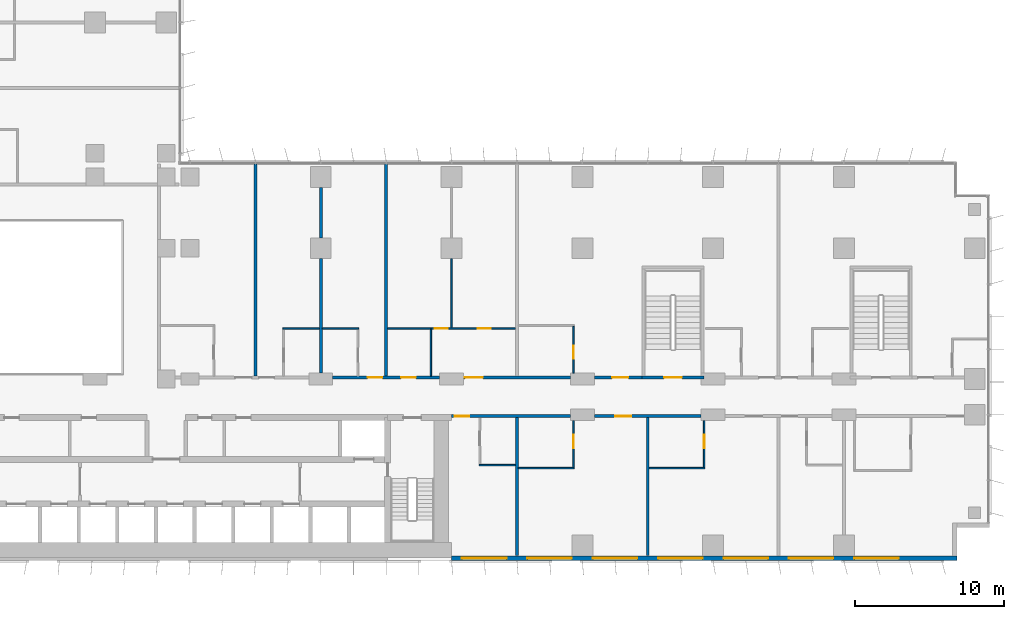
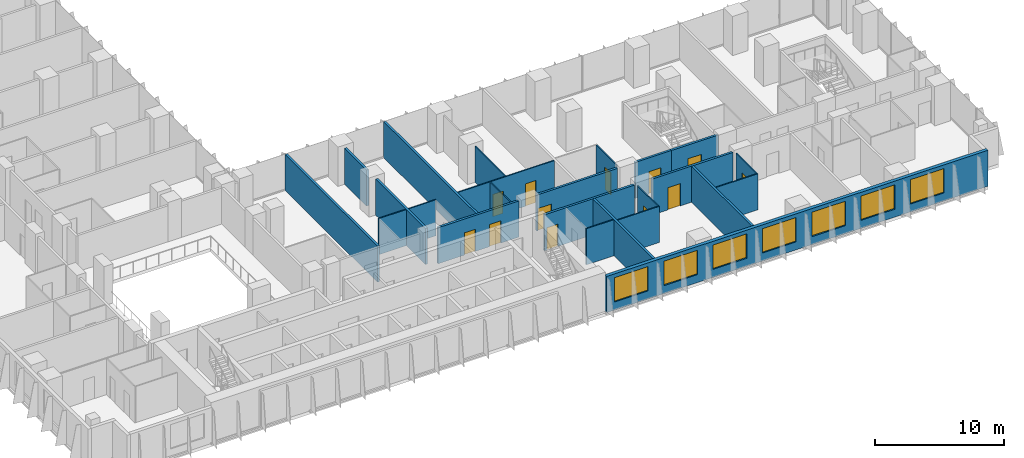
# One storey, part 14 of 24: 24 walls, 12 doors, 7 windows, 19 openings.
"""IFC4 building model written with IfcOpenShell, lengths in metres."""

import ifcopenshell
import ifcopenshell.guid

model = None  # the IFC model being written
_history = None  # IfcOwnerHistory: only IFC2X3 demands one
_inside = {}  # id of a spatial element -> (the spatial element, [elements in it])
_under = {}  # id of a project, library or spatial element -> (it, [spatial elements below it])
_declared = {}  # id of a project -> (the project, [libraries it declares])
_typed = {}  # id of a type object -> (the type object, [elements of that type])
_made_of = {}  # id of a material, layer set ... -> (it, [elements and type objects made of it])


def new_model(schema):
    """Start an empty IFC model of exactly this schema.

    Asked for "IFC4X3", IfcOpenShell would pick the latest addendum, in which some entities
    have other attributes; the version numbers below select the first issue.
    IFC2X3 requires an IfcOwnerHistory on every rooted entity: one is made here for all.
    """
    global model, _history
    if schema == "IFC4X3":
        model = ifcopenshell.file(schema_version=(4, 3, 0, 0))
    else:
        model = ifcopenshell.file(schema=schema)
    _inside.clear()
    _under.clear()
    _declared.clear()
    _typed.clear()
    _made_of.clear()
    _history = None
    if model.schema == "IFC2X3":
        org = make("IfcOrganization", Name="unknown")
        user = make(
            "IfcPersonAndOrganization",
            ThePerson=make("IfcPerson", FamilyName="unknown"),
            TheOrganization=org,
        )
        app = make(
            "IfcApplication",
            ApplicationDeveloper=org,
            Version="unknown",
            ApplicationFullName="unknown",
            ApplicationIdentifier="unknown",
        )
        _history = make(
            "IfcOwnerHistory",
            OwningUser=user,
            OwningApplication=app,
            ChangeAction="ADDED",
            CreationDate=0,
        )
    return model


def make(cls, **values):
    """One entity of the class cls with the attributes given. An attribute that is None is left unset."""
    return model.create_entity(
        cls, **{name: value for name, value in values.items() if value is not None}
    )


def rooted(cls, **values):
    """An entity with a GlobalId (a new one), such as an element, a storey or a relation."""
    return make(cls, GlobalId=ifcopenshell.guid.new(), OwnerHistory=_history, **values)


def si_unit(unit_type, name, prefix=None):
    """IfcSIUnit, for example si_unit("LENGTHUNIT", "METRE", prefix="MILLI")."""
    return make("IfcSIUnit", UnitType=unit_type, Prefix=prefix, Name=name)


def assignment(units):
    """IfcUnitAssignment: the units of a project."""
    return None if units is None else make("IfcUnitAssignment", Units=units)


def point(xyz):
    """IfcCartesianPoint."""
    return None if xyz is None else make("IfcCartesianPoint", Coordinates=xyz)


def direction(xyz):
    """IfcDirection."""
    return None if xyz is None else make("IfcDirection", DirectionRatios=xyz)


def frame(location, z_axis=None, x_axis=None):
    """IfcAxis2Placement3D, a coordinate frame: its origin and axes. An axis left out is left unset."""
    return make(
        "IfcAxis2Placement3D",
        Location=point(location),
        Axis=direction(z_axis),
        RefDirection=direction(x_axis),
    )


def frame_2d(location, x_axis=None):
    """IfcAxis2Placement2D, a coordinate frame in the plane: its origin and x axis."""
    return make(
        "IfcAxis2Placement2D", Location=point(location), RefDirection=direction(x_axis)
    )


def origin():
    """The frame at (0, 0, 0) with its axes left unset."""
    return frame((0.0, 0.0, 0.0))


def place(relative_to, where):
    """IfcLocalPlacement: puts the frame where relative to a parent placement (None: the world)."""
    return make(
        "IfcLocalPlacement", PlacementRelTo=relative_to, RelativePlacement=where
    )


def context(
    kind, dimensions, precision=None, world=None, true_north=None, identifier=None
):
    """IfcGeometricRepresentationContext, for example the 3D "Model" context."""
    return make(
        "IfcGeometricRepresentationContext",
        ContextIdentifier=identifier,
        ContextType=kind,
        CoordinateSpaceDimension=dimensions,
        Precision=precision,
        WorldCoordinateSystem=world,
        TrueNorth=true_north,
    )


def subcontext(parent, identifier, kind, view, scale=None):
    """IfcGeometricRepresentationSubContext, for example "Body" below "Model"."""
    return make(
        "IfcGeometricRepresentationSubContext",
        ContextIdentifier=identifier,
        ContextType=kind,
        ParentContext=parent,
        TargetScale=scale,
        TargetView=view,
    )


def project(units=None, contexts=None):
    """IfcProject with its units and contexts."""
    return rooted(
        "IfcProject",
        Name="project",
        RepresentationContexts=contexts,
        UnitsInContext=assignment(units),
    )


def spatial(cls, under=None, at=None, **own):
    """A site, building, storey or space (cls), placed at a placement, below another one or the project."""
    s = rooted(cls, ObjectPlacement=at, **own)
    if under is not None:
        _under.setdefault(under.id(), (under, []))[1].append(s)
    return s


def profile(cls, at=None, kind="AREA", **sizes):
    """A parametric profile (cls). Its sizes go by their IFC names, for example OverallWidth=200.0."""
    return make(cls, ProfileType=kind, Position=at, **sizes)


def rectangle(**sizes):
    """IfcRectangleProfileDef."""
    return profile("IfcRectangleProfileDef", **sizes)


def extrude(swept, where, along, depth):
    """IfcExtrudedAreaSolid: the profile swept, set in the frame where, extruded along a direction by depth."""
    return make(
        "IfcExtrudedAreaSolid",
        SweptArea=swept,
        Position=where,
        ExtrudedDirection=direction(along),
        Depth=depth,
    )


def shape(context_of_items, identifier, shape_type, items):
    """IfcShapeRepresentation: the items that make up one representation, for example the "Body"."""
    return make(
        "IfcShapeRepresentation",
        ContextOfItems=context_of_items,
        RepresentationIdentifier=identifier,
        RepresentationType=shape_type,
        Items=items,
    )


def material(Name=None, Category=None):
    """IfcMaterial."""
    return make("IfcMaterial", Name=Name, Category=Category)


def layer(
    of_material, thickness, ventilated=None, Name=None, Category=None, Priority=None
):
    """IfcMaterialLayer: one layer of a wall or slab, of a material (None: an air gap)."""
    return make(
        "IfcMaterialLayer",
        Material=of_material,
        LayerThickness=thickness,
        IsVentilated=ventilated,
        Name=Name,
        Category=Category,
        Priority=Priority,
    )


def layer_set(layers, Name=None):
    """IfcMaterialLayerSet."""
    return make("IfcMaterialLayerSet", MaterialLayers=layers, LayerSetName=Name)


def made_of(thing, what):
    """Note that an element or type object is made of a material, layer set ...; save() writes the relation."""
    if what is not None:
        _made_of.setdefault(what.id(), (what, []))[1].append(thing)
    return thing


def type_object(cls, material=None, **own):
    """A type object (cls), such as IfcWallType, which elements share."""
    return made_of(rooted(cls, **own), material)


def element(
    cls,
    number,
    at=None,
    inside=None,
    cuts=None,
    type_object=None,
    material=None,
    context=None,
    identifier="Body",
    shape_type=None,
    held_by="IfcProductDefinitionShape",
    body=None,
    shapes=None,
    **own,
):
    """One element of the class cls, such as IfcWall. Its Tag is "e" and its number.

    at: its placement. inside: the storey or other place that contains it. cuts: it is an
    opening in that element (IfcRelVoidsElement). A single representation is given by context,
    identifier, shape_type and body (its items); several are given by shapes. held_by: the class
    of the entity that holds the representations. save() writes the other relations.
    """
    e = rooted(cls, Tag="e%d" % number, ObjectPlacement=at, **own)
    if body is not None:
        shapes = [shape(context, identifier, shape_type, body)]
    if shapes is not None:
        e.Representation = make(held_by, Representations=shapes)
    if inside is not None:
        _inside.setdefault(inside.id(), (inside, []))[1].append(e)
    if cuts is not None:
        rooted(
            "IfcRelVoidsElement", RelatingBuildingElement=cuts, RelatedOpeningElement=e
        )
    if type_object is not None:
        _typed.setdefault(type_object.id(), (type_object, []))[1].append(e)
    return made_of(e, material)


def fill(opening, filler):
    """IfcRelFillsElement: the door or window that sits in an opening."""
    return rooted(
        "IfcRelFillsElement",
        RelatingOpeningElement=opening,
        RelatedBuildingElement=filler,
    )


def aggregate(whole, parts):
    """IfcRelAggregates: a whole, such as a stair, and the parts it consists of."""
    return rooted("IfcRelAggregates", RelatingObject=whole, RelatedObjects=parts)


def save(model, path):
    """Write the relations noted so far, then the file.

    IfcRelAggregates (storeys below a building ...), IfcRelContainedInSpatialStructure (elements
    in a storey), IfcRelDefinesByType, IfcRelAssociatesMaterial and IfcRelDeclares: one each for
    every whole, place, type object, material and project.
    """
    for whole, parts in _under.values():
        aggregate(whole, parts)
    for where, things in _inside.values():
        rooted(
            "IfcRelContainedInSpatialStructure",
            RelatedElements=things,
            RelatingStructure=where,
        )
    for kind, things in _typed.values():
        rooted("IfcRelDefinesByType", RelatedObjects=things, RelatingType=kind)
    for what, things in _made_of.values():
        rooted("IfcRelAssociatesMaterial", RelatedObjects=things, RelatingMaterial=what)
    for by, libraries in _declared.values():
        rooted("IfcRelDeclares", RelatingContext=by, RelatedDefinitions=libraries)
    model.write(path)


model = new_model("IFC4")

# Units and contexts
model_context = context("Model", 3, precision=1e-05, world=origin(), true_north=direction((0.0, 1.0)))
body_context = subcontext(model_context, "Body", "Model", "MODEL_VIEW")
ifc_project = project(units=[si_unit("LENGTHUNIT", "METRE"), si_unit("AREAUNIT", "SQUARE_METRE"), si_unit("VOLUMEUNIT", "CUBIC_METRE"), si_unit("PLANEANGLEUNIT", "RADIAN"), si_unit("MASSUNIT", "GRAM", prefix="KILO")], contexts=[model_context])

# Site, building, storey
site_placement = place(None, origin())
site = spatial("IfcSite", under=ifc_project, at=site_placement, CompositionType="ELEMENT")
building_placement = place(site_placement, origin())
building = spatial("IfcBuilding", under=site, at=building_placement, Name="Kemantara Hotel Tower", CompositionType="ELEMENT")
storey_placement = place(building_placement, frame((0.0, 0.0, 56.199951171875)))
storey = spatial("IfcBuildingStorey", under=building, at=storey_placement, Name="L12", CompositionType="ELEMENT", Elevation=56.199951171875)

# Wall, openings, windows
ifc_material_1 = material(Name="Bronze anodised aluminium cladding on insulated steel stud wall", Category="steel")
ifc_layer_1 = layer(ifc_material_1, 0.300048828125)
ifc_layer_set_1 = layer_set([ifc_layer_1], Name="Bronze anodised aluminium cladding on insulated steel stud wall")
wall_type_1 = type_object("IfcWallType", Name="BRONZE METAL-CLAD EXTERNAL WALL 300", PredefinedType="STANDARD", material=ifc_layer_set_1)
wall_1_placement = place(storey_placement, frame((45.0, 0.14990234375, 0.0), z_axis=(0.0, 0.0, 1.0), x_axis=(1.0, 0.0, 0.0)))
wall_1 = element("IfcWall", 1, at=wall_1_placement, inside=storey, type_object=wall_type_1, Name="EXTERNAL WALL L12 T1-R01-3", PredefinedType="STANDARD", context=body_context, shape_type="SweptSolid", body=[
    extrude(rectangle(XDim=34.0, YDim=0.300048828125, at=frame_2d((17.0, 0.0))), origin(), (0.0, 0.0, 1.0), 3.400146484375),
])
opening_1_placement = place(wall_1_placement, frame((0.699951171875, 0.0, 0.75)))
opening_1 = element("IfcOpeningElement", 2, at=opening_1_placement, cuts=wall_1, Name="Opening W1", PredefinedType="OPENING", context=body_context, shape_type="SweptSolid", body=[
    extrude(rectangle(XDim=3.0, YDim=2.300048828125, at=frame_2d((1.5, 1.14990234375))), frame((0.0, 0.159912109375, 0.0), z_axis=(0.0, -1.0, 0.0), x_axis=(1.0, 0.0, 0.0)), (0.0, 0.0, 1.0), 0.320068359375),
])
opening_2_placement = place(wall_1_placement, frame((5.10009765625, 0.0, 0.75)))
opening_2 = element("IfcOpeningElement", 3, at=opening_2_placement, cuts=wall_1, Name="Opening W1", PredefinedType="OPENING", context=body_context, shape_type="SweptSolid", body=[
    extrude(rectangle(XDim=3.0, YDim=2.300048828125, at=frame_2d((1.5, 1.14990234375))), frame((0.0, 0.159912109375, 0.0), z_axis=(0.0, -1.0, 0.0), x_axis=(1.0, 0.0, 0.0)), (0.0, 0.0, 1.0), 0.320068359375),
])
opening_3_placement = place(wall_1_placement, frame((9.5, 0.0, 0.75)))
opening_3 = element("IfcOpeningElement", 4, at=opening_3_placement, cuts=wall_1, Name="Opening W1", PredefinedType="OPENING", context=body_context, shape_type="SweptSolid", body=[
    extrude(rectangle(XDim=3.0, YDim=2.300048828125, at=frame_2d((1.5, 1.14990234375))), frame((0.0, 0.159912109375, 0.0), z_axis=(0.0, -1.0, 0.0), x_axis=(1.0, 0.0, 0.0)), (0.0, 0.0, 1.0), 0.320068359375),
])
opening_4_placement = place(wall_1_placement, frame((13.89990234375, 0.0, 0.75)))
opening_4 = element("IfcOpeningElement", 5, at=opening_4_placement, cuts=wall_1, Name="Opening W1", PredefinedType="OPENING", context=body_context, shape_type="SweptSolid", body=[
    extrude(rectangle(XDim=3.0, YDim=2.300048828125, at=frame_2d((1.5, 1.14990234375))), frame((0.0, 0.159912109375, 0.0), z_axis=(0.0, -1.0, 0.0), x_axis=(1.0, 0.0, 0.0)), (0.0, 0.0, 1.0), 0.320068359375),
])
opening_5_placement = place(wall_1_placement, frame((18.300048828125, 0.0, 0.75)))
opening_5 = element("IfcOpeningElement", 6, at=opening_5_placement, cuts=wall_1, Name="Opening W1", PredefinedType="OPENING", context=body_context, shape_type="SweptSolid", body=[
    extrude(rectangle(XDim=3.0, YDim=2.300048828125, at=frame_2d((1.5, 1.14990234375))), frame((0.0, 0.159912109375, 0.0), z_axis=(0.0, -1.0, 0.0), x_axis=(1.0, 0.0, 0.0)), (0.0, 0.0, 1.0), 0.320068359375),
])
opening_6_placement = place(wall_1_placement, frame((22.699951171875, 0.0, 0.75)))
opening_6 = element("IfcOpeningElement", 7, at=opening_6_placement, cuts=wall_1, Name="Opening W1", PredefinedType="OPENING", context=body_context, shape_type="SweptSolid", body=[
    extrude(rectangle(XDim=3.0, YDim=2.300048828125, at=frame_2d((1.5, 1.14990234375))), frame((0.0, 0.159912109375, 0.0), z_axis=(0.0, -1.0, 0.0), x_axis=(1.0, 0.0, 0.0)), (0.0, 0.0, 1.0), 0.320068359375),
])
opening_7_placement = place(wall_1_placement, frame((27.10009765625, 0.0, 0.75)))
opening_7 = element("IfcOpeningElement", 8, at=opening_7_placement, cuts=wall_1, Name="Opening W1", PredefinedType="OPENING", context=body_context, shape_type="SweptSolid", body=[
    extrude(rectangle(XDim=3.0, YDim=2.300048828125, at=frame_2d((1.5, 1.14990234375))), frame((0.0, 0.159912109375, 0.0), z_axis=(0.0, -1.0, 0.0), x_axis=(1.0, 0.0, 0.0)), (0.0, 0.0, 1.0), 0.320068359375),
])
ifc_material_2 = material(Name="Low-E tinted double insulated glass in bronze anodised aluminium frame", Category="aluminium")
window_type = type_object("IfcWindowType", Name="CHICAGO WINDOW, TRIPLE PANEL 3000x2300", PartitioningType="TRIPLE_PANEL_VERTICAL", PredefinedType="WINDOW", material=ifc_material_2)
window_1_placement = place(opening_1_placement, origin())
window_1 = element("IfcWindow", 9, at=window_1_placement, inside=storey, type_object=window_type, Name="CHICAGO WINDOW L12 T1-R01-450", OverallHeight=2.300048828125, OverallWidth=3.0, PartitioningType="SINGLE_PANEL", PredefinedType="WINDOW", context=body_context, shape_type="SweptSolid", body=[
    extrude(rectangle(XDim=3.0, YDim=2.300048828125, at=frame_2d((1.5, 1.14990234375))), frame((0.0, 0.030029296875, 0.0), z_axis=(0.0, -1.0, 0.0), x_axis=(1.0, 0.0, 0.0)), (0.0, 0.0, 1.0), 0.06005859375),
])
fill(opening_1, window_1)
window_2_placement = place(opening_2_placement, origin())
window_2 = element("IfcWindow", 10, at=window_2_placement, inside=storey, type_object=window_type, Name="CHICAGO WINDOW L12 T1-R01-494", OverallHeight=2.300048828125, OverallWidth=3.0, PartitioningType="SINGLE_PANEL", PredefinedType="WINDOW", context=body_context, shape_type="SweptSolid", body=[
    extrude(rectangle(XDim=3.0, YDim=2.300048828125, at=frame_2d((1.5, 1.14990234375))), frame((0.0, 0.030029296875, 0.0), z_axis=(0.0, -1.0, 0.0), x_axis=(1.0, 0.0, 0.0)), (0.0, 0.0, 1.0), 0.06005859375),
])
fill(opening_2, window_2)
window_3_placement = place(opening_3_placement, origin())
window_3 = element("IfcWindow", 11, at=window_3_placement, inside=storey, type_object=window_type, Name="CHICAGO WINDOW L12 T1-R01-538", OverallHeight=2.300048828125, OverallWidth=3.0, PartitioningType="SINGLE_PANEL", PredefinedType="WINDOW", context=body_context, shape_type="SweptSolid", body=[
    extrude(rectangle(XDim=3.0, YDim=2.300048828125, at=frame_2d((1.5, 1.14990234375))), frame((0.0, 0.030029296875, 0.0), z_axis=(0.0, -1.0, 0.0), x_axis=(1.0, 0.0, 0.0)), (0.0, 0.0, 1.0), 0.06005859375),
])
fill(opening_3, window_3)
window_4_placement = place(opening_4_placement, origin())
window_4 = element("IfcWindow", 12, at=window_4_placement, inside=storey, type_object=window_type, Name="CHICAGO WINDOW L12 T1-R01-582", OverallHeight=2.300048828125, OverallWidth=3.0, PartitioningType="SINGLE_PANEL", PredefinedType="WINDOW", context=body_context, shape_type="SweptSolid", body=[
    extrude(rectangle(XDim=3.0, YDim=2.300048828125, at=frame_2d((1.5, 1.14990234375))), frame((0.0, 0.030029296875, 0.0), z_axis=(0.0, -1.0, 0.0), x_axis=(1.0, 0.0, 0.0)), (0.0, 0.0, 1.0), 0.06005859375),
])
fill(opening_4, window_4)
window_5_placement = place(opening_5_placement, origin())
window_5 = element("IfcWindow", 13, at=window_5_placement, inside=storey, type_object=window_type, Name="CHICAGO WINDOW L12 T1-R01-626", OverallHeight=2.300048828125, OverallWidth=3.0, PartitioningType="SINGLE_PANEL", PredefinedType="WINDOW", context=body_context, shape_type="SweptSolid", body=[
    extrude(rectangle(XDim=3.0, YDim=2.300048828125, at=frame_2d((1.5, 1.14990234375))), frame((0.0, 0.030029296875, 0.0), z_axis=(0.0, -1.0, 0.0), x_axis=(1.0, 0.0, 0.0)), (0.0, 0.0, 1.0), 0.06005859375),
])
fill(opening_5, window_5)
window_6_placement = place(opening_6_placement, origin())
window_6 = element("IfcWindow", 14, at=window_6_placement, inside=storey, type_object=window_type, Name="CHICAGO WINDOW L12 T1-R01-670", OverallHeight=2.300048828125, OverallWidth=3.0, PartitioningType="SINGLE_PANEL", PredefinedType="WINDOW", context=body_context, shape_type="SweptSolid", body=[
    extrude(rectangle(XDim=3.0, YDim=2.300048828125, at=frame_2d((1.5, 1.14990234375))), frame((0.0, 0.030029296875, 0.0), z_axis=(0.0, -1.0, 0.0), x_axis=(1.0, 0.0, 0.0)), (0.0, 0.0, 1.0), 0.06005859375),
])
fill(opening_6, window_6)
window_7_placement = place(opening_7_placement, origin())
window_7 = element("IfcWindow", 15, at=window_7_placement, inside=storey, type_object=window_type, Name="CHICAGO WINDOW L12 T1-R01-714", OverallHeight=2.300048828125, OverallWidth=3.0, PartitioningType="SINGLE_PANEL", PredefinedType="WINDOW", context=body_context, shape_type="SweptSolid", body=[
    extrude(rectangle(XDim=3.0, YDim=2.300048828125, at=frame_2d((1.5, 1.14990234375))), frame((0.0, 0.030029296875, 0.0), z_axis=(0.0, -1.0, 0.0), x_axis=(1.0, 0.0, 0.0)), (0.0, 0.0, 1.0), 0.06005859375),
])
fill(opening_7, window_7)

# Wall, opening, door
ifc_material_3 = material(Name="Gypsum board partition, steel studs and mineral wool, 200 mm", Category="steel")
ifc_layer_2 = layer(ifc_material_3, 0.199951171875)
ifc_layer_set_2 = layer_set([ifc_layer_2], Name="Gypsum board partition, steel studs and mineral wool, 200 mm")
wall_type_2 = type_object("IfcWallType", Name="CORRIDOR WALL 200", PredefinedType="PARTITIONING", material=ifc_layer_set_2)
wall_2_placement = place(storey_placement, frame((53.0, 9.699951171875, 0.0), z_axis=(0.0, 0.0, 1.0), x_axis=(-1.0, 0.0, 0.0)))
wall_2 = element("IfcWall", 16, at=wall_2_placement, inside=storey, type_object=wall_type_2, Name="CORRIDOR WALL 200 001", PredefinedType="PARTITIONING", context=body_context, shape_type="SweptSolid", body=[
    extrude(rectangle(XDim=8.0, YDim=0.199951171875, at=frame_2d((4.0, 0.0))), origin(), (0.0, 0.0, 1.0), 3.400146484375),
])
opening_8_placement = place(wall_2_placement, frame((6.7998046875, 0.0, 0.0)))
opening_8 = element("IfcOpeningElement", 17, at=opening_8_placement, cuts=wall_2, Name="Opening F04-001", PredefinedType="OPENING", context=body_context, shape_type="SweptSolid", body=[
    extrude(rectangle(XDim=1.0, YDim=2.10009765625, at=frame_2d((0.5, 1.050048828125))), frame((0.0, 0.10986328125, 0.0), z_axis=(0.0, -1.0, 0.0), x_axis=(1.0, 0.0, 0.0)), (0.0, 0.0, 1.0), 0.219970703125),
])
ifc_material_4 = material(Name="Hardwood veneer door leaf with steel frame", Category="steel")
door_type_1 = type_object("IfcDoorType", Name="GUEST ROOM DOOR 1000 X 2100 FD30S", OperationType="NOTDEFINED", PredefinedType="DOOR", material=ifc_material_4)
door_1_placement = place(opening_8_placement, origin())
door_1 = element("IfcDoor", 18, at=door_1_placement, inside=storey, type_object=door_type_1, Name="GUEST ROOM DOOR F04-001", OperationType="SINGLE_SWING_RIGHT", OverallHeight=2.10009765625, OverallWidth=1.0, PredefinedType="DOOR", context=body_context, shape_type="SweptSolid", body=[
    extrude(rectangle(XDim=1.0, YDim=2.10009765625, at=frame_2d((0.5, 1.050048828125))), frame((0.0, 0.02490234375, 0.0), z_axis=(0.0, -1.0, 0.0), x_axis=(1.0, 0.0, 0.0)), (0.0, 0.0, 1.0), 0.050048828125),
])
fill(opening_8, door_1)

wall_3_placement = place(storey_placement, frame((61.7998046875, 9.699951171875, 0.0), z_axis=(0.0, 0.0, 1.0), x_axis=(-1.0, 0.0, 0.0)))
wall_3 = element("IfcWall", 19, at=wall_3_placement, inside=storey, type_object=wall_type_2, Name="CORRIDOR WALL 200 002", PredefinedType="PARTITIONING", context=body_context, shape_type="SweptSolid", body=[
    extrude(rectangle(XDim=7.19970703125, YDim=0.199951171875, at=frame_2d((3.599853515625, 0.0))), origin(), (0.0, 0.0, 1.0), 3.400146484375),
])
opening_9_placement = place(wall_3_placement, frame((4.699951171875, 0.0, 0.0)))
opening_9 = element("IfcOpeningElement", 20, at=opening_9_placement, cuts=wall_3, Name="Opening F04-003", PredefinedType="OPENING", context=body_context, shape_type="SweptSolid", body=[
    extrude(rectangle(XDim=1.10009765625, YDim=2.10009765625, at=frame_2d((0.550048828125, 1.050048828125))), frame((0.0, 0.10986328125, 0.0), z_axis=(0.0, -1.0, 0.0), x_axis=(1.0, 0.0, 0.0)), (0.0, 0.0, 1.0), 0.219970703125),
])
door_type_2 = type_object("IfcDoorType", Name="SUITE ENTRANCE DOOR 1100 X 2100 FD30S", OperationType="NOTDEFINED", PredefinedType="DOOR", material=ifc_material_4)
door_2_placement = place(opening_9_placement, origin())
door_2 = element("IfcDoor", 21, at=door_2_placement, inside=storey, type_object=door_type_2, Name="SUITE ENTRANCE DOOR F04-003", OperationType="SINGLE_SWING_LEFT", OverallHeight=2.10009765625, OverallWidth=1.10009765625, PredefinedType="DOOR", context=body_context, shape_type="SweptSolid", body=[
    extrude(rectangle(XDim=1.10009765625, YDim=2.10009765625, at=frame_2d((0.550048828125, 1.050048828125))), frame((0.0, 0.02490234375, 0.0), z_axis=(0.0, -1.0, 0.0), x_axis=(1.0, 0.0, 0.0)), (0.0, 0.0, 1.0), 0.050048828125),
])
fill(opening_9, door_2)

# Wall, openings, doors
wall_4_placement = place(storey_placement, frame((37.0, 12.300048828125, 0.0), z_axis=(0.0, 0.0, 1.0), x_axis=(1.0, 0.0, 0.0)))
wall_4 = element("IfcWall", 22, at=wall_4_placement, inside=storey, type_object=wall_type_2, Name="CORRIDOR WALL 200 013", PredefinedType="PARTITIONING", context=body_context, shape_type="SweptSolid", body=[
    extrude(rectangle(XDim=7.199951171875, YDim=0.199951171875, at=frame_2d((3.60009765625, 0.0))), origin(), (0.0, 0.0, 1.0), 3.400146484375),
])
opening_10_placement = place(wall_4_placement, frame((2.349853515625, 0.0, 0.0)))
opening_10 = element("IfcOpeningElement", 23, at=opening_10_placement, cuts=wall_4, Name="Opening F04-015", PredefinedType="OPENING", context=body_context, shape_type="SweptSolid", body=[
    extrude(rectangle(XDim=1.0, YDim=2.10009765625, at=frame_2d((0.5, 1.050048828125))), frame((0.0, 0.10986328125, 0.0), z_axis=(0.0, -1.0, 0.0), x_axis=(1.0, 0.0, 0.0)), (0.0, 0.0, 1.0), 0.219970703125),
])
opening_11_placement = place(wall_4_placement, frame((4.599853515625, 0.0, 0.0)))
opening_11 = element("IfcOpeningElement", 24, at=opening_11_placement, cuts=wall_4, Name="Opening F04-017", PredefinedType="OPENING", context=body_context, shape_type="SweptSolid", body=[
    extrude(rectangle(XDim=1.0, YDim=2.10009765625, at=frame_2d((0.5, 1.050048828125))), frame((0.0, 0.10986328125, 0.0), z_axis=(0.0, -1.0, 0.0), x_axis=(1.0, 0.0, 0.0)), (0.0, 0.0, 1.0), 0.219970703125),
])
door_3_placement = place(opening_10_placement, origin())
door_3 = element("IfcDoor", 25, at=door_3_placement, inside=storey, type_object=door_type_1, Name="GUEST ROOM DOOR F04-015", OperationType="SINGLE_SWING_RIGHT", OverallHeight=2.10009765625, OverallWidth=1.0, PredefinedType="DOOR", context=body_context, shape_type="SweptSolid", body=[
    extrude(rectangle(XDim=1.0, YDim=2.10009765625, at=frame_2d((0.5, 1.050048828125))), frame((0.0, 0.02490234375, 0.0), z_axis=(0.0, -1.0, 0.0), x_axis=(1.0, 0.0, 0.0)), (0.0, 0.0, 1.0), 0.050048828125),
])
fill(opening_10, door_3)
ifc_material_5 = material(Name="Steel door leaf with steel frame", Category="steel")
door_type_3 = type_object("IfcDoorType", Name="SERVICE ROOM DOOR 1000 X 2100 FD60", OperationType="NOTDEFINED", PredefinedType="DOOR", material=ifc_material_5)
door_4_placement = place(opening_11_placement, origin())
door_4 = element("IfcDoor", 26, at=door_4_placement, inside=storey, type_object=door_type_3, Name="SERVICE ROOM DOOR F04-017", OperationType="SINGLE_SWING_LEFT", OverallHeight=2.10009765625, OverallWidth=1.0, PredefinedType="DOOR", context=body_context, shape_type="SweptSolid", body=[
    extrude(rectangle(XDim=1.0, YDim=2.10009765625, at=frame_2d((0.5, 1.050048828125))), frame((0.0, 0.02490234375, 0.0), z_axis=(0.0, -1.0, 0.0), x_axis=(1.0, 0.0, 0.0)), (0.0, 0.0, 1.0), 0.050048828125),
])
fill(opening_11, door_4)

# Wall, opening, door
wall_5_placement = place(storey_placement, frame((45.800048828125, 12.300048828125, 0.0), z_axis=(0.0, 0.0, 1.0), x_axis=(1.0, 0.0, 0.0)))
wall_5 = element("IfcWall", 27, at=wall_5_placement, inside=storey, type_object=wall_type_2, Name="CORRIDOR WALL 200 014", PredefinedType="PARTITIONING", context=body_context, shape_type="SweptSolid", body=[
    extrude(rectangle(XDim=7.199951171875, YDim=0.199951171875, at=frame_2d((3.60009765625, 0.0))), origin(), (0.0, 0.0, 1.0), 3.400146484375),
])
opening_12_placement = place(wall_5_placement, frame((0.099853515625, 0.0, 0.0)))
opening_12 = element("IfcOpeningElement", 28, at=opening_12_placement, cuts=wall_5, Name="Opening F04-018", PredefinedType="OPENING", context=body_context, shape_type="SweptSolid", body=[
    extrude(rectangle(XDim=1.199951171875, YDim=2.10009765625, at=frame_2d((0.60009765625, 1.050048828125))), frame((0.0, 0.10986328125, 0.0), z_axis=(0.0, -1.0, 0.0), x_axis=(1.0, 0.0, 0.0)), (0.0, 0.0, 1.0), 0.219970703125),
])
door_type_4 = type_object("IfcDoorType", Name="GUEST ROOM DOOR 1200 X 2100 FD30S", OperationType="NOTDEFINED", PredefinedType="DOOR", material=ifc_material_4)
door_5_placement = place(opening_12_placement, origin())
door_5 = element("IfcDoor", 29, at=door_5_placement, inside=storey, type_object=door_type_4, Name="GUEST ROOM DOOR F04-018", OperationType="SINGLE_SWING_RIGHT", OverallHeight=2.10009765625, OverallWidth=1.199951171875, PredefinedType="DOOR", context=body_context, shape_type="SweptSolid", body=[
    extrude(rectangle(XDim=1.199951171875, YDim=2.10009765625, at=frame_2d((0.60009765625, 1.050048828125))), frame((0.0, 0.02490234375, 0.0), z_axis=(0.0, -1.0, 0.0), x_axis=(1.0, 0.0, 0.0)), (0.0, 0.0, 1.0), 0.050048828125),
])
fill(opening_12, door_5)

wall_6_placement = place(storey_placement, frame((54.60009765625, 12.300048828125, 0.0), z_axis=(0.0, 0.0, 1.0), x_axis=(1.0, 0.0, 0.0)))
wall_6 = element("IfcWall", 30, at=wall_6_placement, inside=storey, type_object=wall_type_2, Name="CORRIDOR WALL 200 015", PredefinedType="PARTITIONING", context=body_context, shape_type="SweptSolid", body=[
    extrude(rectangle(XDim=3.199951171875, YDim=0.199951171875, at=frame_2d((1.60009765625, 0.0))), origin(), (0.0, 0.0, 1.0), 3.400146484375),
])
opening_13_placement = place(wall_6_placement, frame((1.199951171875, 0.0, 0.0)))
opening_13 = element("IfcOpeningElement", 31, at=opening_13_placement, cuts=wall_6, Name="Opening F04-021", PredefinedType="OPENING", context=body_context, shape_type="SweptSolid", body=[
    extrude(rectangle(XDim=1.10009765625, YDim=2.10009765625, at=frame_2d((0.550048828125, 1.050048828125))), frame((0.0, 0.10986328125, 0.0), z_axis=(0.0, -1.0, 0.0), x_axis=(1.0, 0.0, 0.0)), (0.0, 0.0, 1.0), 0.219970703125),
])
door_6_placement = place(opening_13_placement, origin())
door_6 = element("IfcDoor", 32, at=door_6_placement, inside=storey, type_object=door_type_2, Name="SUITE ENTRANCE DOOR F04-021", OperationType="SINGLE_SWING_RIGHT", OverallHeight=2.10009765625, OverallWidth=1.10009765625, PredefinedType="DOOR", context=body_context, shape_type="SweptSolid", body=[
    extrude(rectangle(XDim=1.10009765625, YDim=2.10009765625, at=frame_2d((0.550048828125, 1.050048828125))), frame((0.0, 0.02490234375, 0.0), z_axis=(0.0, -1.0, 0.0), x_axis=(1.0, 0.0, 0.0)), (0.0, 0.0, 1.0), 0.050048828125),
])
fill(opening_13, door_6)

ifc_material_6 = material(Name="Concrete fc 40 MPa", Category="concrete")
ifc_layer_3 = layer(ifc_material_6, 0.199951171875)
ifc_layer_set_3 = layer_set([ifc_layer_3], Name="Concrete fc 40 MPa")
wall_type_3 = type_object("IfcWallType", Name="Concrete stair wall 200 mm", PredefinedType="SHEAR", material=ifc_layer_set_3)
wall_7_placement = place(storey_placement, frame((57.800048828125, 12.300048828125, 0.0), z_axis=(0.0, 0.0, 1.0), x_axis=(1.0, 0.0, 0.0)))
wall_7 = element("IfcWall", 33, at=wall_7_placement, inside=storey, type_object=wall_type_3, Name="Stair ST3 enclosure wall with door", PredefinedType="SHEAR", context=body_context, shape_type="SweptSolid", body=[
    extrude(rectangle(XDim=4.199951171875, YDim=0.199951171875, at=frame_2d((2.10009765625, 0.0))), origin(), (0.0, 0.0, 1.0), 3.400146484375),
])
opening_14_placement = place(wall_7_placement, frame((1.5, 0.0, 0.0)))
opening_14 = element("IfcOpeningElement", 34, at=opening_14_placement, cuts=wall_7, Name="Opening ST3-C", PredefinedType="OPENING", context=body_context, shape_type="SweptSolid", body=[
    extrude(rectangle(XDim=1.199951171875, YDim=2.10009765625, at=frame_2d((0.60009765625, 1.050048828125))), frame((0.0, 0.10986328125, 0.0), z_axis=(0.0, -1.0, 0.0), x_axis=(1.0, 0.0, 0.0)), (0.0, 0.0, 1.0), 0.219970703125),
])
ifc_material_7 = material(Name="Steel fire door", Category="steel")
door_type_5 = type_object("IfcDoorType", Name="Fire door FD90 1200 x 2100", OperationType="NOTDEFINED", PredefinedType="DOOR", material=ifc_material_7)
door_7_placement = place(opening_14_placement, origin())
door_7 = element("IfcDoor", 35, at=door_7_placement, inside=storey, type_object=door_type_5, Name="Stair ST3 door", OperationType="SINGLE_SWING_RIGHT", OverallHeight=2.10009765625, OverallWidth=1.199951171875, PredefinedType="DOOR", context=body_context, shape_type="SweptSolid", body=[
    extrude(rectangle(XDim=1.199951171875, YDim=2.10009765625, at=frame_2d((0.60009765625, 1.050048828125))), frame((0.0, 0.02490234375, 0.0), z_axis=(0.0, -1.0, 0.0), x_axis=(1.0, 0.0, 0.0)), (0.0, 0.0, 1.0), 0.050048828125),
])
fill(opening_14, door_7)

# Walls
ifc_layer_4 = layer(ifc_material_3, 0.199951171875)
ifc_layer_set_4 = layer_set([ifc_layer_4], Name="Gypsum board partition, steel studs and mineral wool, 200 mm")
wall_type_4 = type_object("IfcWallType", Name="GUEST ROOM PARTY WALL 200", PredefinedType="PARTITIONING", material=ifc_layer_set_4)
for number, where, z_axis, x_axis, name in (
    (36, (49.39990234375, 0.31005859375, 0.0), (0.0, 0.0, 1.0), (0.0, 1.0, 0.0), "GUEST ROOM PARTY WALL 200 005"),
    (37, (58.199951171875, 0.31005859375, 0.0), (0.0, 0.0, 1.0), (0.0, 1.0, 0.0), "GUEST ROOM PARTY WALL 200 007"),
):
    element("IfcWall", number, at=place(storey_placement, frame(where, z_axis=z_axis, x_axis=x_axis)), inside=storey, type_object=wall_type_4, Name=name, PredefinedType="PARTITIONING", context=body_context, shape_type="SweptSolid", body=[
        extrude(rectangle(XDim=9.2900390625, YDim=0.199951171875, at=frame_2d((4.64501953125, 0.0))), origin(), (0.0, 0.0, 1.0), 3.400146484375),
    ])
wall_8_placement = place(storey_placement, frame((31.800048828125, 12.39990234375, 0.0), z_axis=(0.0, 0.0, 1.0), x_axis=(0.0, 1.0, 0.0)))
element("IfcWall", 38, at=wall_8_placement, inside=storey, type_object=wall_type_4, Name="GUEST ROOM PARTY WALL 200 021", PredefinedType="PARTITIONING", context=body_context, shape_type="SweptSolid", body=[
    extrude(rectangle(XDim=14.27001953125, YDim=0.199951171875, at=frame_2d((7.135009765625, 0.0))), origin(), (0.0, 0.0, 1.0), 3.400146484375),
])
wall_9_placement = place(storey_placement, frame((36.199951171875, 12.60009765625, 0.0), z_axis=(0.0, 0.0, 1.0), x_axis=(0.0, 1.0, 0.0)))
element("IfcWall", 39, at=wall_9_placement, inside=storey, type_object=wall_type_4, Name="GUEST ROOM PARTY WALL 200 022", PredefinedType="PARTITIONING", context=body_context, shape_type="SweptSolid", body=[
    extrude(rectangle(XDim=7.69970703125, YDim=0.199951171875, at=frame_2d((3.849853515625, 0.0))), origin(), (0.0, 0.0, 1.0), 3.400146484375),
])
wall_10_placement = place(storey_placement, frame((36.199951171875, 21.7001953125, 0.0), z_axis=(0.0, 0.0, 1.0), x_axis=(0.0, 1.0, 0.0)))
element("IfcWall", 40, at=wall_10_placement, inside=storey, type_object=wall_type_4, Name="GUEST ROOM PARTY WALL 200 023", PredefinedType="PARTITIONING", context=body_context, shape_type="SweptSolid", body=[
    extrude(rectangle(XDim=3.399658203125, YDim=0.199951171875, at=frame_2d((1.69970703125, 0.0))), origin(), (0.0, 0.0, 1.0), 3.400146484375),
])
wall_11_placement = place(storey_placement, frame((40.60009765625, 12.39990234375, 0.0), z_axis=(0.0, 0.0, 1.0), x_axis=(0.0, 1.0, 0.0)))
element("IfcWall", 41, at=wall_11_placement, inside=storey, type_object=wall_type_4, Name="GUEST ROOM PARTY WALL 200 024", PredefinedType="PARTITIONING", context=body_context, shape_type="SweptSolid", body=[
    extrude(rectangle(XDim=14.27001953125, YDim=0.199951171875, at=frame_2d((7.135009765625, 0.0))), origin(), (0.0, 0.0, 1.0), 3.400146484375),
])
ifc_material_8 = material(Name="Gypsum board partition on steel studs, 100 mm", Category="steel")
ifc_layer_5 = layer(ifc_material_8, 0.10009765625)
ifc_layer_set_5 = layer_set([ifc_layer_5], Name="Gypsum board partition on steel studs, 100 mm")
wall_type_5 = type_object("IfcWallType", Name="ROOM PARTITION 100", PredefinedType="PARTITIONING", material=ifc_layer_set_5)
wall_12_placement = place(storey_placement, frame((46.85009765625, 6.39990234375, 0.0), z_axis=(0.0, 0.0, 1.0), x_axis=(1.0, 0.0, 0.0)))
element("IfcWall", 42, at=wall_12_placement, inside=storey, type_object=wall_type_5, Name="ROOM PARTITION 100 065", PredefinedType="PARTITIONING", context=body_context, shape_type="SweptSolid", body=[
    extrude(rectangle(XDim=2.449951171875, YDim=0.10009765625, at=frame_2d((1.22509765625, 0.0))), origin(), (0.0, 0.0, 1.0), 3.400146484375),
])
for number, where, z_axis, x_axis, name in (
    (43, (49.5, 6.199951171875, 0.0), (0.0, 0.0, 1.0), (1.0, 0.0, 0.0), "ROOM PARTITION 100 068"),
    (44, (58.300048828125, 6.199951171875, 0.0), (0.0, 0.0, 1.0), (1.0, 0.0, 0.0), "ROOM PARTITION 100 069"),
):
    element("IfcWall", number, at=place(storey_placement, frame(where, z_axis=z_axis, x_axis=x_axis)), inside=storey, type_object=wall_type_5, Name=name, PredefinedType="PARTITIONING", context=body_context, shape_type="SweptSolid", body=[
        extrude(rectangle(XDim=3.75, YDim=0.10009765625, at=frame_2d((1.875, 0.0))), origin(), (0.0, 0.0, 1.0), 3.400146484375),
    ])

# Wall, opening, door
wall_13_placement = place(storey_placement, frame((53.199951171875, 6.25, 0.0), z_axis=(0.0, 0.0, 1.0), x_axis=(0.0, 1.0, 0.0)))
wall_13 = element("IfcWall", 45, at=wall_13_placement, inside=storey, type_object=wall_type_5, Name="ROOM PARTITION 100 070", PredefinedType="PARTITIONING", context=body_context, shape_type="SweptSolid", body=[
    extrude(rectangle(XDim=3.14990234375, YDim=0.10009765625, at=frame_2d((1.574951171875, 0.0))), origin(), (0.0, 0.0, 1.0), 3.400146484375),
])
opening_15_placement = place(wall_13_placement, frame((1.300048828125, 0.0, 0.0)))
opening_15 = element("IfcOpeningElement", 46, at=opening_15_placement, cuts=wall_13, Name="Opening F04-004", PredefinedType="OPENING", context=body_context, shape_type="SweptSolid", body=[
    extrude(rectangle(XDim=0.89990234375, YDim=2.10009765625, at=frame_2d((0.449951171875, 1.050048828125))), frame((0.0, 0.06005859375, 0.0), z_axis=(0.0, -1.0, 0.0), x_axis=(1.0, 0.0, 0.0)), (0.0, 0.0, 1.0), 0.1201171875),
])
door_type_6 = type_object("IfcDoorType", Name="BATHROOM DOOR 900 X 2100", OperationType="NOTDEFINED", PredefinedType="DOOR", material=ifc_material_4)
door_8_placement = place(opening_15_placement, origin())
door_8 = element("IfcDoor", 47, at=door_8_placement, inside=storey, type_object=door_type_6, Name="BATHROOM DOOR F04-004", OperationType="SINGLE_SWING_RIGHT", OverallHeight=2.10009765625, OverallWidth=0.89990234375, PredefinedType="DOOR", context=body_context, shape_type="SweptSolid", body=[
    extrude(rectangle(XDim=0.89990234375, YDim=2.10009765625, at=frame_2d((0.449951171875, 1.050048828125))), frame((0.0, 0.02490234375, 0.0), z_axis=(0.0, -1.0, 0.0), x_axis=(1.0, 0.0, 0.0)), (0.0, 0.0, 1.0), 0.050048828125),
])
fill(opening_15, door_8)

wall_14_placement = place(storey_placement, frame((53.199951171875, 12.60009765625, 0.0), z_axis=(0.0, 0.0, 1.0), x_axis=(0.0, 1.0, 0.0)))
wall_14 = element("IfcWall", 48, at=wall_14_placement, inside=storey, type_object=wall_type_5, Name="ROOM PARTITION 100 071", PredefinedType="PARTITIONING", context=body_context, shape_type="SweptSolid", body=[
    extrude(rectangle(XDim=3.14990234375, YDim=0.10009765625, at=frame_2d((1.574951171875, 0.0))), origin(), (0.0, 0.0, 1.0), 3.400146484375),
])
opening_16_placement = place(wall_14_placement, frame((0.949951171875, 0.0, 0.0)))
opening_16 = element("IfcOpeningElement", 49, at=opening_16_placement, cuts=wall_14, Name="Opening F04-022", PredefinedType="OPENING", context=body_context, shape_type="SweptSolid", body=[
    extrude(rectangle(XDim=0.89990234375, YDim=2.10009765625, at=frame_2d((0.449951171875, 1.050048828125))), frame((0.0, 0.06005859375, 0.0), z_axis=(0.0, -1.0, 0.0), x_axis=(1.0, 0.0, 0.0)), (0.0, 0.0, 1.0), 0.1201171875),
])
door_9_placement = place(opening_16_placement, origin())
door_9 = element("IfcDoor", 50, at=door_9_placement, inside=storey, type_object=door_type_6, Name="BATHROOM DOOR F04-022", OperationType="SINGLE_SWING_LEFT", OverallHeight=2.10009765625, OverallWidth=0.89990234375, PredefinedType="DOOR", context=body_context, shape_type="SweptSolid", body=[
    extrude(rectangle(XDim=0.89990234375, YDim=2.10009765625, at=frame_2d((0.449951171875, 1.050048828125))), frame((0.0, 0.02490234375, 0.0), z_axis=(0.0, -1.0, 0.0), x_axis=(1.0, 0.0, 0.0)), (0.0, 0.0, 1.0), 0.050048828125),
])
fill(opening_16, door_9)

wall_15_placement = place(storey_placement, frame((62.0, 6.25, 0.0), z_axis=(0.0, 0.0, 1.0), x_axis=(0.0, 1.0, 0.0)))
wall_15 = element("IfcWall", 51, at=wall_15_placement, inside=storey, type_object=wall_type_5, Name="ROOM PARTITION 100 072", PredefinedType="PARTITIONING", context=body_context, shape_type="SweptSolid", body=[
    extrude(rectangle(XDim=3.14990234375, YDim=0.10009765625, at=frame_2d((1.574951171875, 0.0))), origin(), (0.0, 0.0, 1.0), 3.400146484375),
])
opening_17_placement = place(wall_15_placement, frame((1.300048828125, 0.0, 0.0)))
opening_17 = element("IfcOpeningElement", 52, at=opening_17_placement, cuts=wall_15, Name="Opening F04-006", PredefinedType="OPENING", context=body_context, shape_type="SweptSolid", body=[
    extrude(rectangle(XDim=0.89990234375, YDim=2.10009765625, at=frame_2d((0.449951171875, 1.050048828125))), frame((0.0, 0.06005859375, 0.0), z_axis=(0.0, -1.0, 0.0), x_axis=(1.0, 0.0, 0.0)), (0.0, 0.0, 1.0), 0.1201171875),
])
door_10_placement = place(opening_17_placement, origin())
door_10 = element("IfcDoor", 53, at=door_10_placement, inside=storey, type_object=door_type_6, Name="BATHROOM DOOR F04-006", OperationType="SINGLE_SWING_RIGHT", OverallHeight=2.10009765625, OverallWidth=0.89990234375, PredefinedType="DOOR", context=body_context, shape_type="SweptSolid", body=[
    extrude(rectangle(XDim=0.89990234375, YDim=2.10009765625, at=frame_2d((0.449951171875, 1.050048828125))), frame((0.0, 0.02490234375, 0.0), z_axis=(0.0, -1.0, 0.0), x_axis=(1.0, 0.0, 0.0)), (0.0, 0.0, 1.0), 0.050048828125),
])
fill(opening_17, door_10)

# Walls
wall_16_placement = place(storey_placement, frame((33.64990234375, 15.60009765625, 0.0), z_axis=(0.0, 0.0, 1.0), x_axis=(1.0, 0.0, 0.0)))
element("IfcWall", 54, at=wall_16_placement, inside=storey, type_object=wall_type_5, Name="ROOM PARTITION 100 080", PredefinedType="PARTITIONING", context=body_context, shape_type="SweptSolid", body=[
    extrude(rectangle(XDim=2.4501953125, YDim=0.10009765625, at=frame_2d((1.22509765625, 0.0))), origin(), (0.0, 0.0, 1.0), 3.400146484375),
])
wall_17_placement = place(storey_placement, frame((36.300048828125, 15.60009765625, 0.0), z_axis=(0.0, 0.0, 1.0), x_axis=(1.0, 0.0, 0.0)))
element("IfcWall", 55, at=wall_17_placement, inside=storey, type_object=wall_type_5, Name="ROOM PARTITION 100 081", PredefinedType="PARTITIONING", context=body_context, shape_type="SweptSolid", body=[
    extrude(rectangle(XDim=2.449951171875, YDim=0.10009765625, at=frame_2d((1.22509765625, 0.0))), origin(), (0.0, 0.0, 1.0), 3.400146484375),
])

# Wall, openings, doors
wall_18_placement = place(storey_placement, frame((40.699951171875, 15.60009765625, 0.0), z_axis=(0.0, 0.0, 1.0), x_axis=(1.0, 0.0, 0.0)))
wall_18 = element("IfcWall", 56, at=wall_18_placement, inside=storey, type_object=wall_type_5, Name="ROOM PARTITION 100 082", PredefinedType="PARTITIONING", context=body_context, shape_type="SweptSolid", body=[
    extrude(rectangle(XDim=8.60009765625, YDim=0.10009765625, at=frame_2d((4.300048828125, 0.0))), origin(), (0.0, 0.0, 1.0), 3.400146484375),
])
opening_18_placement = place(wall_18_placement, frame((3.14990234375, 0.0, 0.0)))
opening_18 = element("IfcOpeningElement", 57, at=opening_18_placement, cuts=wall_18, Name="Opening F04-019", PredefinedType="OPENING", context=body_context, shape_type="SweptSolid", body=[
    extrude(rectangle(XDim=0.89990234375, YDim=2.10009765625, at=frame_2d((0.449951171875, 1.050048828125))), frame((0.0, 0.06005859375, 0.0), z_axis=(0.0, -1.0, 0.0), x_axis=(1.0, 0.0, 0.0)), (0.0, 0.0, 1.0), 0.1201171875),
])
opening_19_placement = place(wall_18_placement, frame((6.050048828125, 0.0, 0.0)))
opening_19 = element("IfcOpeningElement", 58, at=opening_19_placement, cuts=wall_18, Name="Opening F04-020", PredefinedType="OPENING", context=body_context, shape_type="SweptSolid", body=[
    extrude(rectangle(XDim=0.89990234375, YDim=2.10009765625, at=frame_2d((0.449951171875, 1.050048828125))), frame((0.0, 0.06005859375, 0.0), z_axis=(0.0, -1.0, 0.0), x_axis=(1.0, 0.0, 0.0)), (0.0, 0.0, 1.0), 0.1201171875),
])
door_type_7 = type_object("IfcDoorType", Name="INTERNAL DOOR 900 X 2100", OperationType="NOTDEFINED", PredefinedType="DOOR", material=ifc_material_4)
door_11_placement = place(opening_18_placement, origin())
door_11 = element("IfcDoor", 59, at=door_11_placement, inside=storey, type_object=door_type_7, Name="INTERNAL DOOR F04-019", OperationType="SINGLE_SWING_LEFT", OverallHeight=2.10009765625, OverallWidth=0.89990234375, PredefinedType="DOOR", context=body_context, shape_type="SweptSolid", body=[
    extrude(rectangle(XDim=0.89990234375, YDim=2.10009765625, at=frame_2d((0.449951171875, 1.050048828125))), frame((0.0, 0.02490234375, 0.0), z_axis=(0.0, -1.0, 0.0), x_axis=(1.0, 0.0, 0.0)), (0.0, 0.0, 1.0), 0.050048828125),
])
fill(opening_18, door_11)
door_12_placement = place(opening_19_placement, origin())
door_12 = element("IfcDoor", 60, at=door_12_placement, inside=storey, type_object=door_type_7, Name="INTERNAL DOOR F04-020", OperationType="SINGLE_SWING_LEFT", OverallHeight=2.10009765625, OverallWidth=0.89990234375, PredefinedType="DOOR", context=body_context, shape_type="SweptSolid", body=[
    extrude(rectangle(XDim=0.89990234375, YDim=2.10009765625, at=frame_2d((0.449951171875, 1.050048828125))), frame((0.0, 0.02490234375, 0.0), z_axis=(0.0, -1.0, 0.0), x_axis=(1.0, 0.0, 0.0)), (0.0, 0.0, 1.0), 0.050048828125),
])
fill(opening_19, door_12)

# Walls
wall_19_placement = place(storey_placement, frame((43.60009765625, 12.39990234375, 0.0), z_axis=(0.0, 0.0, 1.0), x_axis=(0.0, 1.0, 0.0)))
element("IfcWall", 61, at=wall_19_placement, inside=storey, type_object=wall_type_5, Name="ROOM PARTITION 100 087", PredefinedType="PARTITIONING", context=body_context, shape_type="SweptSolid", body=[
    extrude(rectangle(XDim=3.150146484375, YDim=0.10009765625, at=frame_2d((1.5751953125, 0.0))), origin(), (0.0, 0.0, 1.0), 3.400146484375),
])
wall_20_placement = place(storey_placement, frame((45.0, 15.64990234375, 0.0), z_axis=(0.0, 0.0, 1.0), x_axis=(0.0, 1.0, 0.0)))
element("IfcWall", 62, at=wall_20_placement, inside=storey, type_object=wall_type_5, Name="ROOM PARTITION 100 088", PredefinedType="PARTITIONING", context=body_context, shape_type="SweptSolid", body=[
    extrude(rectangle(XDim=4.64990234375, YDim=0.10009765625, at=frame_2d((2.324951171875, 0.0))), origin(), (0.0, 0.0, 1.0), 3.400146484375),
])

save(model, "model.ifc")
